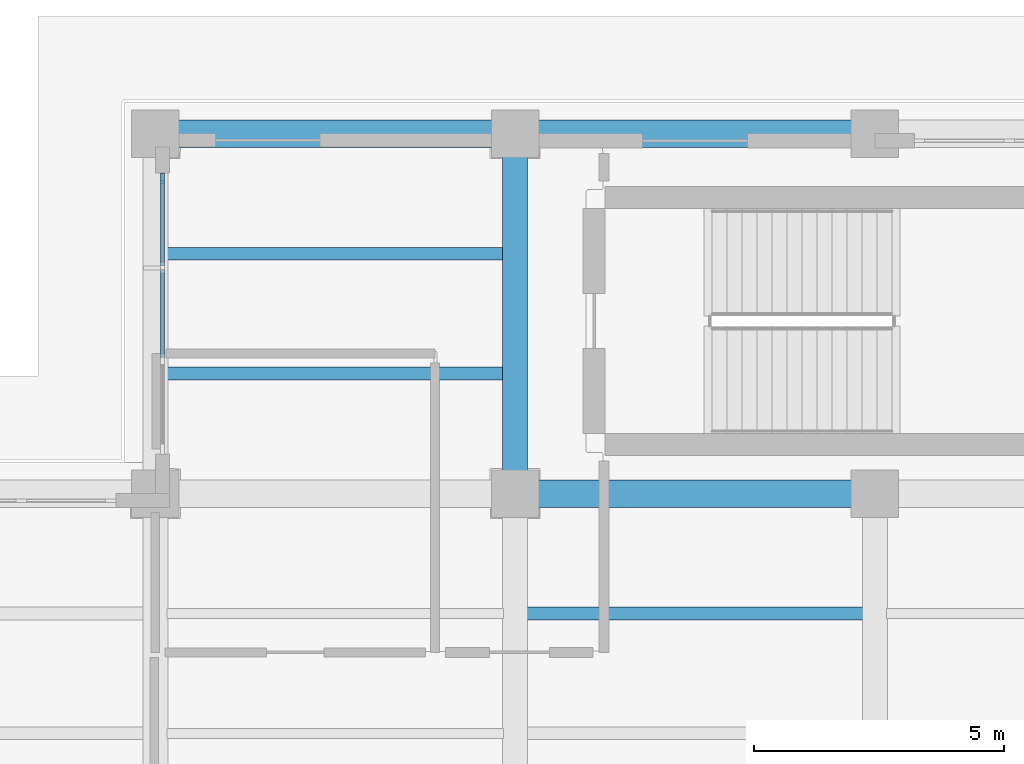
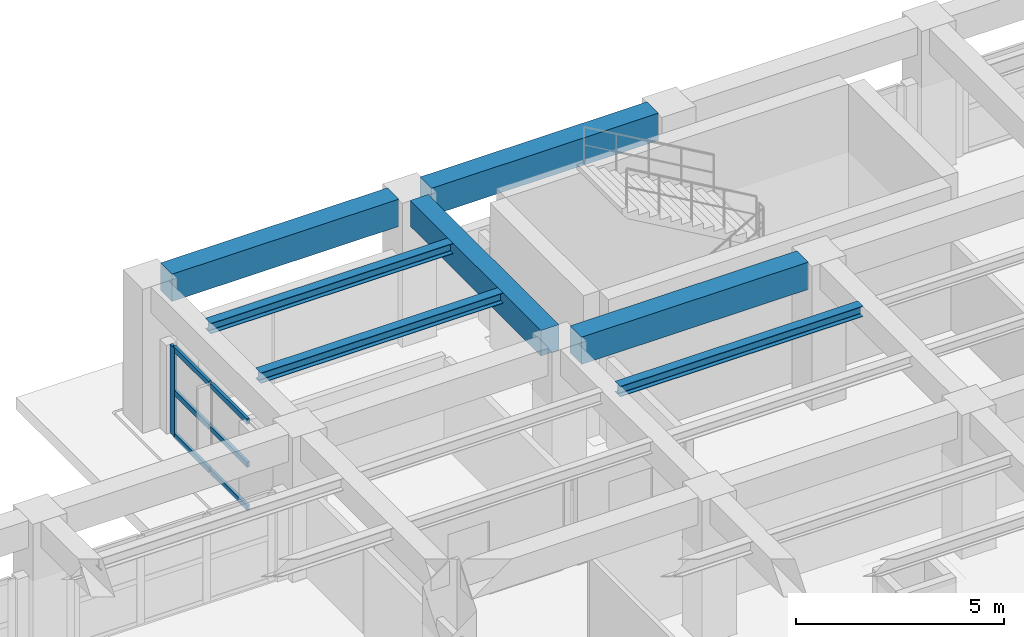
# One storey, part 17 of 64: 7 beams, 7 members, 1 element without a shape of its own.
"""IFC4 building model written with IfcOpenShell, lengths in metres."""

from ifc_helpers import new_model, si_unit, direction, frame, origin, origin_2d, place, context, subcontext, project, spatial, rectangle, i_section, extrude, material, layer, layer_set, material_profile, profile_set, type_object, element, aggregate, save


model = new_model("IFC4")

# Units and contexts
model_context = context("Model", 3, precision=1e-05, world=origin(), true_north=direction((0.0, 1.0)))
body_context = subcontext(model_context, "Body", "Model", "MODEL_VIEW")
ifc_project = project(units=[si_unit("LENGTHUNIT", "METRE"), si_unit("AREAUNIT", "SQUARE_METRE"), si_unit("VOLUMEUNIT", "CUBIC_METRE"), si_unit("PLANEANGLEUNIT", "RADIAN"), si_unit("MASSUNIT", "GRAM", prefix="KILO")], contexts=[model_context])

# Site, building, storey
site_placement = place(None, origin())
site = spatial("IfcSite", under=ifc_project, at=site_placement, CompositionType="ELEMENT")
building_placement = place(site_placement, origin())
building = spatial("IfcBuilding", under=site, at=building_placement, Name="Solenvale Faculty of Natural Sciences", CompositionType="ELEMENT")
storey_placement = place(building_placement, origin())
storey = spatial("IfcBuildingStorey", under=building, at=storey_placement, Name="L00", CompositionType="ELEMENT", Elevation=0.0)

# Beams
ifc_material_1 = material(Name="Concrete 40 MPa", Category="concrete")
ifc_material_profile_1 = material_profile(ifc_material_1, rectangle(XDim=0.5, YDim=0.75, at=origin_2d()), Name="RC-BM-500x750")
ifc_profile_set_1 = profile_set([ifc_material_profile_1], Name="Concrete 40 MPa")
beam_type_1 = type_object("IfcBeamType", Name="BM-RC-500x750", PredefinedType="BEAM", material=ifc_profile_set_1)
beam_1_placement = place(storey_placement, frame((122.39990234375, 50.85498046875, 3.844970703125), z_axis=(0.0, 1.0, 0.0), x_axis=(-1.0, 0.0, 0.0)))
element("IfcBeam", 1, at=beam_1_placement, inside=storey, type_object=beam_type_1, Name="L00 Y-Girder X122.4 (50.4..57.6)", PredefinedType="BEAM", context=body_context, shape_type="SweptSolid", body=[
    extrude(rectangle(XDim=0.5, YDim=0.75, at=origin_2d()), origin(), (0.0, 0.0, 1.0), 6.2900390625),
])
ifc_material_profile_2 = material_profile(ifc_material_1, rectangle(XDim=0.550048828125, YDim=0.800048828125, at=origin_2d()), Name="RC-BM-550x800")
ifc_profile_set_2 = profile_set([ifc_material_profile_2], Name="Concrete 40 MPa")
beam_type_2 = type_object("IfcBeamType", Name="BM-RC-550x800", PredefinedType="BEAM", material=ifc_profile_set_2)
for number, where, z_axis, x_axis, name in (
    (2, (122.85498046875, 50.39990234375, 3.820068359375), (1.0, 0.0, 0.0), (0.0, 1.0, 0.0), "L00 X-Girder Y50.4 (122.4..129.6)"),
    (3, (115.655029296875, 57.60009765625, 3.820068359375), (1.0, 0.0, 0.0), (0.0, 1.0, 0.0), "L00 X-Girder Y57.6 (115.2..122.4)"),
    (4, (122.85498046875, 57.60009765625, 3.820068359375), (1.0, 0.0, 0.0), (0.0, 1.0, 0.0), "L00 X-Girder Y57.6 (122.4..129.6)"),
):
    element("IfcBeam", number, at=place(storey_placement, frame(where, z_axis=z_axis, x_axis=x_axis)), inside=storey, type_object=beam_type_2, Name=name, PredefinedType="BEAM", context=body_context, shape_type="SweptSolid", body=[
        extrude(rectangle(XDim=0.550048828125, YDim=0.800048828125, at=origin_2d()), origin(), (0.0, 0.0, 1.0), 6.2900390625),
    ])
ifc_material_2 = material(Name="Steel S355", Category="steel")
ifc_material_profile_3 = material_profile(ifc_material_2, i_section(OverallWidth=0.25390625, OverallDepth=0.305908203125, WebThickness=0.0087890625, FlangeThickness=0.0146484375, FilletRadius=0.014892578125, at=origin_2d()), Name="W310x79")
ifc_profile_set_3 = profile_set([ifc_material_profile_3], Name="Steel S355")
beam_type_3 = type_object("IfcBeamType", Name="BM-STL-W310x79", PredefinedType="JOIST", material=ifc_profile_set_3)
for number, where, z_axis, x_axis, name in (
    (5, (115.429931640625, 52.800048828125, 4.06689453125), (1.0, 0.0, 0.0), (0.0, 1.0, 0.0), "L00 Composite Floor Joist (17,8).1"),
    (6, (115.429931640625, 55.199951171875, 4.06689453125), (1.0, 0.0, 0.0), (0.0, 1.0, 0.0), "L00 Composite Floor Joist (17,8).2"),
):
    element("IfcBeam", number, at=place(storey_placement, frame(where, z_axis=z_axis, x_axis=x_axis)), inside=storey, type_object=beam_type_3, Name=name, PredefinedType="JOIST", context=body_context, shape_type="SweptSolid", body=[
        extrude(i_section(OverallWidth=0.25390625, OverallDepth=0.305908203125, WebThickness=0.0087890625, FlangeThickness=0.0146484375, FilletRadius=0.014892578125, at=origin_2d()), origin(), (0.0, 0.0, 1.0), 6.739990234375),
    ])
beam_2_placement = place(storey_placement, frame((122.6298828125, 48.0, 4.06689453125), z_axis=(1.0, 0.0, 0.0), x_axis=(0.0, 1.0, 0.0)))
element("IfcBeam", 7, at=beam_2_placement, inside=storey, type_object=beam_type_3, Name="L00 Composite Floor Joist (18,7).2", PredefinedType="JOIST", context=body_context, shape_type="SweptSolid", body=[
    extrude(i_section(OverallWidth=0.25390625, OverallDepth=0.305908203125, WebThickness=0.0087890625, FlangeThickness=0.0146484375, FilletRadius=0.014892578125, at=origin_2d()), origin(), (0.0, 0.0, 1.0), 6.740234375),
])

# Curtain wall, members
ifc_material_3 = material(Name="Anodised bronze aluminium", Category="aluminium")
ifc_layer = layer(ifc_material_3, 0.199951171875)
ifc_layer_set = layer_set([ifc_layer], Name="Anodised bronze aluminium")
curtain_wall_type = type_object("IfcCurtainWallType", Name="CW-COM-FIN", PredefinedType="USERDEFINED", material=ifc_layer_set)
curtain_wall_placement = place(storey_placement, origin())
curtain_wall = element("IfcCurtainWall", 8, at=curtain_wall_placement, inside=storey, type_object=curtain_wall_type, Name="L00 Curtain Wall CW-L00-P1-E8-B1", ObjectType="UNITISED CURTAIN WALL", PredefinedType="USERDEFINED")
ifc_material_profile_4 = material_profile(ifc_material_3, rectangle(XDim=0.074951171875, YDim=0.2099609375, at=origin_2d()), Name="ALU-MUL-75x210")
ifc_profile_set_4 = profile_set([ifc_material_profile_4], Name="Anodised bronze aluminium")
member_type_1 = type_object("IfcMemberType", Name="CWM-ALU-75x210", PredefinedType="MULLION", material=ifc_profile_set_4)
member_1_placement = place(storey_placement, frame((115.342529296875, 56.71240234375, 0.0), z_axis=(0.0, 0.0, 1.0), x_axis=(1.0, 0.0, 0.0)))
member_1 = element("IfcMember", 9, at=member_1_placement, type_object=member_type_1, Name="CW-03 mullion 1", PredefinedType="MULLION", context=body_context, shape_type="SweptSolid", body=[
    extrude(rectangle(XDim=0.074951171875, YDim=0.2099609375, at=origin_2d()), origin(), (0.0, 0.0, 1.0), 2.60009765625),
])
ifc_material_profile_5 = material_profile(ifc_material_3, rectangle(XDim=0.074951171875, YDim=0.155029296875, at=origin_2d()), Name="ALU-TRN-75x155")
ifc_profile_set_5 = profile_set([ifc_material_profile_5], Name="Anodised bronze aluminium")
member_type_2 = type_object("IfcMemberType", Name="CWT-ALU-75x155", PredefinedType="USERDEFINED", material=ifc_profile_set_5)
member_2_placement = place(storey_placement, frame((115.342529296875, 56.675048828125, 0.03759765625), z_axis=(0.0, -1.0, 0.0), x_axis=(1.0, 0.0, 0.0)))
member_2 = element("IfcMember", 10, at=member_2_placement, type_object=member_type_2, Name="CW-03 transom 1.1", ObjectType="TRANSOM", PredefinedType="USERDEFINED", context=body_context, shape_type="SweptSolid", body=[
    extrude(rectangle(XDim=0.074951171875, YDim=0.155029296875, at=origin_2d()), origin(), (0.0, 0.0, 1.0), 1.720947265625),
])
member_3_placement = place(storey_placement, frame((115.342529296875, 56.675048828125, 1.300048828125), z_axis=(0.0, -1.0, 0.0), x_axis=(1.0, 0.0, 0.0)))
member_3 = element("IfcMember", 11, at=member_3_placement, type_object=member_type_2, Name="CW-03 transom 1.2", ObjectType="TRANSOM", PredefinedType="USERDEFINED", context=body_context, shape_type="SweptSolid", body=[
    extrude(rectangle(XDim=0.074951171875, YDim=0.155029296875, at=origin_2d()), origin(), (0.0, 0.0, 1.0), 1.720947265625),
])
member_4_placement = place(storey_placement, frame((115.342529296875, 56.675048828125, 2.5625), z_axis=(0.0, -1.0, 0.0), x_axis=(1.0, 0.0, 0.0)))
member_4 = element("IfcMember", 12, at=member_4_placement, type_object=member_type_2, Name="CW-03 transom 1.3", ObjectType="TRANSOM", PredefinedType="USERDEFINED", context=body_context, shape_type="SweptSolid", body=[
    extrude(rectangle(XDim=0.074951171875, YDim=0.155029296875, at=origin_2d()), origin(), (0.0, 0.0, 1.0), 1.720947265625),
])
member_5_placement = place(storey_placement, frame((115.342529296875, 54.879150390625, 0.03759765625), z_axis=(0.0, -1.0, 0.0), x_axis=(1.0, 0.0, 0.0)))
member_5 = element("IfcMember", 13, at=member_5_placement, type_object=member_type_2, Name="CW-03 transom 2.1", ObjectType="TRANSOM", PredefinedType="USERDEFINED", context=body_context, shape_type="SweptSolid", body=[
    extrude(rectangle(XDim=0.074951171875, YDim=0.155029296875, at=origin_2d()), origin(), (0.0, 0.0, 1.0), 1.75830078125),
])
member_6_placement = place(storey_placement, frame((115.342529296875, 54.879150390625, 1.300048828125), z_axis=(0.0, -1.0, 0.0), x_axis=(1.0, 0.0, 0.0)))
member_6 = element("IfcMember", 14, at=member_6_placement, type_object=member_type_2, Name="CW-03 transom 2.2", ObjectType="TRANSOM", PredefinedType="USERDEFINED", context=body_context, shape_type="SweptSolid", body=[
    extrude(rectangle(XDim=0.074951171875, YDim=0.155029296875, at=origin_2d()), origin(), (0.0, 0.0, 1.0), 1.75830078125),
])
member_7_placement = place(storey_placement, frame((115.342529296875, 54.879150390625, 2.5625), z_axis=(0.0, -1.0, 0.0), x_axis=(1.0, 0.0, 0.0)))
member_7 = element("IfcMember", 15, at=member_7_placement, type_object=member_type_2, Name="CW-03 transom 2.3", ObjectType="TRANSOM", PredefinedType="USERDEFINED", context=body_context, shape_type="SweptSolid", body=[
    extrude(rectangle(XDim=0.074951171875, YDim=0.155029296875, at=origin_2d()), origin(), (0.0, 0.0, 1.0), 1.75830078125),
])
aggregate(curtain_wall, [member_1, member_2, member_3, member_4, member_5, member_6, member_7])

save(model, "model.ifc")
